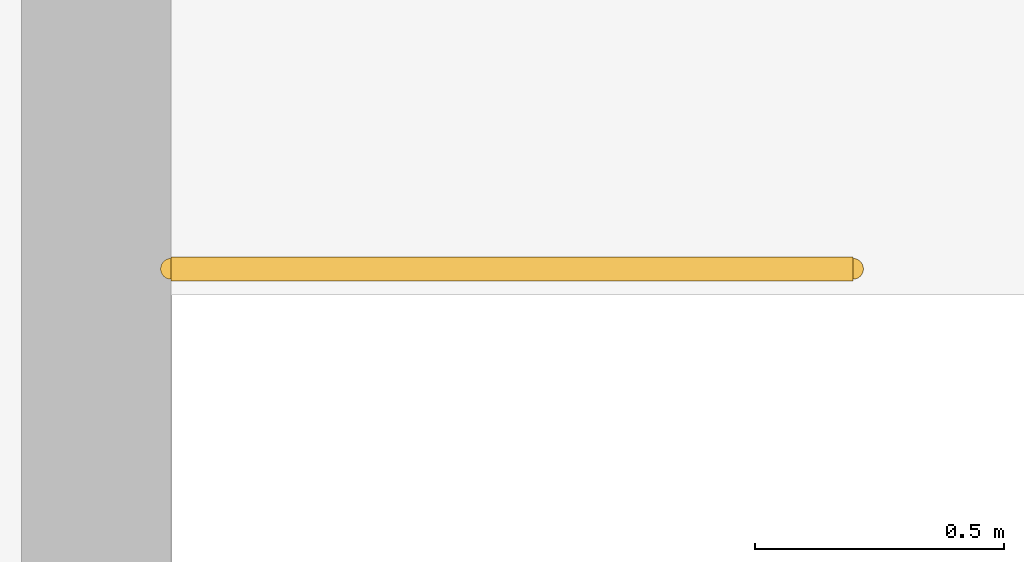
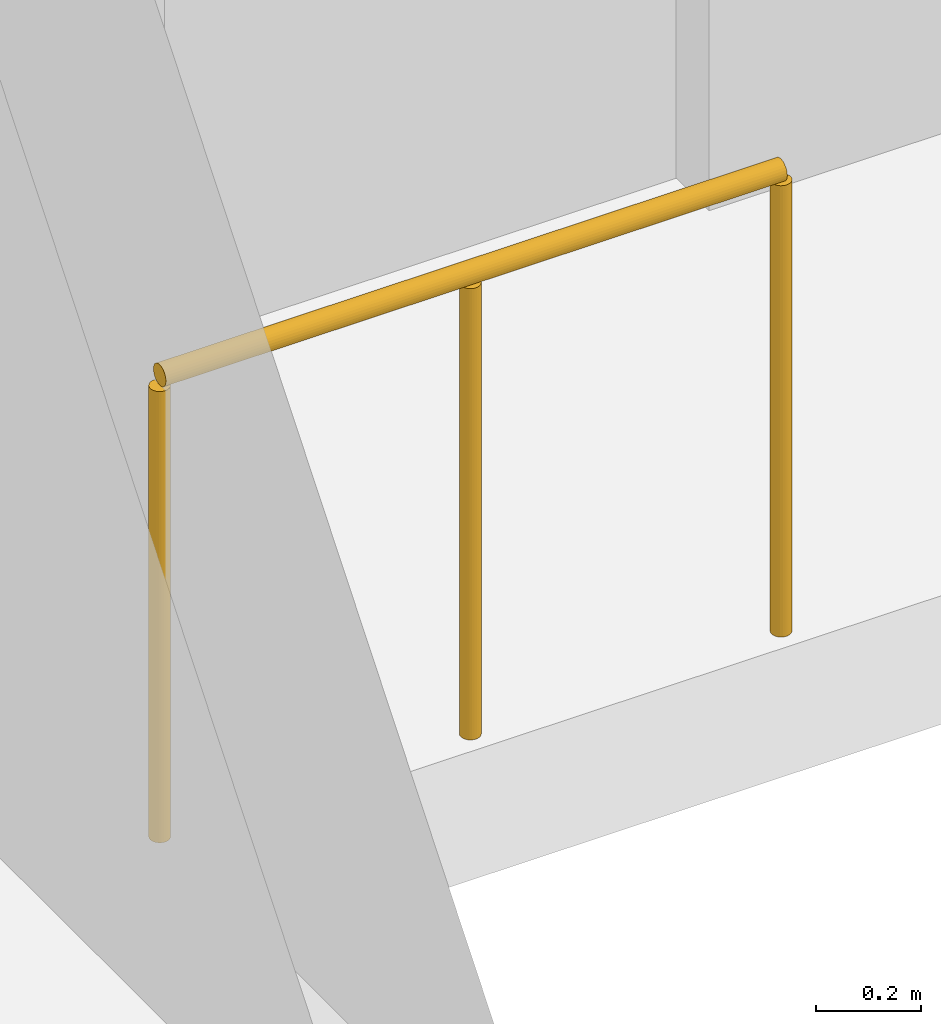
# One storey, part 21 of 21: 1 railing.
"""IFC4 building model written with IfcOpenShell, lengths in metres."""

import ifcopenshell
import ifcopenshell.guid

model = None  # the IFC model being written
_history = None  # IfcOwnerHistory: only IFC2X3 demands one
_inside = {}  # id of a spatial element -> (the spatial element, [elements in it])
_under = {}  # id of a project, library or spatial element -> (it, [spatial elements below it])
_declared = {}  # id of a project -> (the project, [libraries it declares])
_typed = {}  # id of a type object -> (the type object, [elements of that type])
_made_of = {}  # id of a material, layer set ... -> (it, [elements and type objects made of it])


def new_model(schema):
    """Start an empty IFC model of exactly this schema.

    Asked for "IFC4X3", IfcOpenShell would pick the latest addendum, in which some entities
    have other attributes; the version numbers below select the first issue.
    IFC2X3 requires an IfcOwnerHistory on every rooted entity: one is made here for all.
    """
    global model, _history
    if schema == "IFC4X3":
        model = ifcopenshell.file(schema_version=(4, 3, 0, 0))
    else:
        model = ifcopenshell.file(schema=schema)
    _inside.clear()
    _under.clear()
    _declared.clear()
    _typed.clear()
    _made_of.clear()
    _history = None
    if model.schema == "IFC2X3":
        org = make("IfcOrganization", Name="unknown")
        user = make(
            "IfcPersonAndOrganization",
            ThePerson=make("IfcPerson", FamilyName="unknown"),
            TheOrganization=org,
        )
        app = make(
            "IfcApplication",
            ApplicationDeveloper=org,
            Version="unknown",
            ApplicationFullName="unknown",
            ApplicationIdentifier="unknown",
        )
        _history = make(
            "IfcOwnerHistory",
            OwningUser=user,
            OwningApplication=app,
            ChangeAction="ADDED",
            CreationDate=0,
        )
    return model


def make(cls, **values):
    """One entity of the class cls with the attributes given. An attribute that is None is left unset."""
    return model.create_entity(
        cls, **{name: value for name, value in values.items() if value is not None}
    )


def rooted(cls, **values):
    """An entity with a GlobalId (a new one), such as an element, a storey or a relation."""
    return make(cls, GlobalId=ifcopenshell.guid.new(), OwnerHistory=_history, **values)


def si_unit(unit_type, name, prefix=None):
    """IfcSIUnit, for example si_unit("LENGTHUNIT", "METRE", prefix="MILLI")."""
    return make("IfcSIUnit", UnitType=unit_type, Prefix=prefix, Name=name)


def assignment(units):
    """IfcUnitAssignment: the units of a project."""
    return None if units is None else make("IfcUnitAssignment", Units=units)


def point(xyz):
    """IfcCartesianPoint."""
    return None if xyz is None else make("IfcCartesianPoint", Coordinates=xyz)


def direction(xyz):
    """IfcDirection."""
    return None if xyz is None else make("IfcDirection", DirectionRatios=xyz)


def frame(location, z_axis=None, x_axis=None):
    """IfcAxis2Placement3D, a coordinate frame: its origin and axes. An axis left out is left unset."""
    return make(
        "IfcAxis2Placement3D",
        Location=point(location),
        Axis=direction(z_axis),
        RefDirection=direction(x_axis),
    )


def frame_2d(location, x_axis=None):
    """IfcAxis2Placement2D, a coordinate frame in the plane: its origin and x axis."""
    return make(
        "IfcAxis2Placement2D", Location=point(location), RefDirection=direction(x_axis)
    )


def origin():
    """The frame at (0, 0, 0) with its axes left unset."""
    return frame((0.0, 0.0, 0.0))


def origin_2d():
    """The frame at (0, 0) in the plane with its x axis left unset."""
    return frame_2d((0.0, 0.0))


def place(relative_to, where):
    """IfcLocalPlacement: puts the frame where relative to a parent placement (None: the world)."""
    return make(
        "IfcLocalPlacement", PlacementRelTo=relative_to, RelativePlacement=where
    )


def context(
    kind, dimensions, precision=None, world=None, true_north=None, identifier=None
):
    """IfcGeometricRepresentationContext, for example the 3D "Model" context."""
    return make(
        "IfcGeometricRepresentationContext",
        ContextIdentifier=identifier,
        ContextType=kind,
        CoordinateSpaceDimension=dimensions,
        Precision=precision,
        WorldCoordinateSystem=world,
        TrueNorth=true_north,
    )


def subcontext(parent, identifier, kind, view, scale=None):
    """IfcGeometricRepresentationSubContext, for example "Body" below "Model"."""
    return make(
        "IfcGeometricRepresentationSubContext",
        ContextIdentifier=identifier,
        ContextType=kind,
        ParentContext=parent,
        TargetScale=scale,
        TargetView=view,
    )


def project(units=None, contexts=None):
    """IfcProject with its units and contexts."""
    return rooted(
        "IfcProject",
        Name="project",
        RepresentationContexts=contexts,
        UnitsInContext=assignment(units),
    )


def spatial(cls, under=None, at=None, **own):
    """A site, building, storey or space (cls), placed at a placement, below another one or the project."""
    s = rooted(cls, ObjectPlacement=at, **own)
    if under is not None:
        _under.setdefault(under.id(), (under, []))[1].append(s)
    return s


def profile(cls, at=None, kind="AREA", **sizes):
    """A parametric profile (cls). Its sizes go by their IFC names, for example OverallWidth=200.0."""
    return make(cls, ProfileType=kind, Position=at, **sizes)


def circle(**sizes):
    """IfcCircleProfileDef."""
    return profile("IfcCircleProfileDef", **sizes)


def extrude(swept, where, along, depth):
    """IfcExtrudedAreaSolid: the profile swept, set in the frame where, extruded along a direction by depth."""
    return make(
        "IfcExtrudedAreaSolid",
        SweptArea=swept,
        Position=where,
        ExtrudedDirection=direction(along),
        Depth=depth,
    )


def shape(context_of_items, identifier, shape_type, items):
    """IfcShapeRepresentation: the items that make up one representation, for example the "Body"."""
    return make(
        "IfcShapeRepresentation",
        ContextOfItems=context_of_items,
        RepresentationIdentifier=identifier,
        RepresentationType=shape_type,
        Items=items,
    )


def material(Name=None, Category=None):
    """IfcMaterial."""
    return make("IfcMaterial", Name=Name, Category=Category)


def made_of(thing, what):
    """Note that an element or type object is made of a material, layer set ...; save() writes the relation."""
    if what is not None:
        _made_of.setdefault(what.id(), (what, []))[1].append(thing)
    return thing


def type_object(cls, material=None, **own):
    """A type object (cls), such as IfcWallType, which elements share."""
    return made_of(rooted(cls, **own), material)


def element(
    cls,
    number,
    at=None,
    inside=None,
    cuts=None,
    type_object=None,
    material=None,
    context=None,
    identifier="Body",
    shape_type=None,
    held_by="IfcProductDefinitionShape",
    body=None,
    shapes=None,
    **own,
):
    """One element of the class cls, such as IfcWall. Its Tag is "e" and its number.

    at: its placement. inside: the storey or other place that contains it. cuts: it is an
    opening in that element (IfcRelVoidsElement). A single representation is given by context,
    identifier, shape_type and body (its items); several are given by shapes. held_by: the class
    of the entity that holds the representations. save() writes the other relations.
    """
    e = rooted(cls, Tag="e%d" % number, ObjectPlacement=at, **own)
    if body is not None:
        shapes = [shape(context, identifier, shape_type, body)]
    if shapes is not None:
        e.Representation = make(held_by, Representations=shapes)
    if inside is not None:
        _inside.setdefault(inside.id(), (inside, []))[1].append(e)
    if cuts is not None:
        rooted(
            "IfcRelVoidsElement", RelatingBuildingElement=cuts, RelatedOpeningElement=e
        )
    if type_object is not None:
        _typed.setdefault(type_object.id(), (type_object, []))[1].append(e)
    return made_of(e, material)


def aggregate(whole, parts):
    """IfcRelAggregates: a whole, such as a stair, and the parts it consists of."""
    return rooted("IfcRelAggregates", RelatingObject=whole, RelatedObjects=parts)


def save(model, path):
    """Write the relations noted so far, then the file.

    IfcRelAggregates (storeys below a building ...), IfcRelContainedInSpatialStructure (elements
    in a storey), IfcRelDefinesByType, IfcRelAssociatesMaterial and IfcRelDeclares: one each for
    every whole, place, type object, material and project.
    """
    for whole, parts in _under.values():
        aggregate(whole, parts)
    for where, things in _inside.values():
        rooted(
            "IfcRelContainedInSpatialStructure",
            RelatedElements=things,
            RelatingStructure=where,
        )
    for kind, things in _typed.values():
        rooted("IfcRelDefinesByType", RelatedObjects=things, RelatingType=kind)
    for what, things in _made_of.values():
        rooted("IfcRelAssociatesMaterial", RelatedObjects=things, RelatingMaterial=what)
    for by, libraries in _declared.values():
        rooted("IfcRelDeclares", RelatingContext=by, RelatedDefinitions=libraries)
    model.write(path)


model = new_model("IFC4")

# Units and contexts
model_context = context("Model", 3, precision=1e-05, world=origin(), true_north=direction((0.0, 1.0)))
body_context = subcontext(model_context, "Body", "Model", "MODEL_VIEW")
ifc_project = project(units=[si_unit("LENGTHUNIT", "METRE"), si_unit("AREAUNIT", "SQUARE_METRE"), si_unit("VOLUMEUNIT", "CUBIC_METRE"), si_unit("PLANEANGLEUNIT", "RADIAN"), si_unit("MASSUNIT", "GRAM", prefix="KILO")], contexts=[model_context])

# Site, building, storey
site_placement = place(None, origin())
site = spatial("IfcSite", under=ifc_project, at=site_placement, CompositionType="ELEMENT")
building_placement = place(site_placement, origin())
building = spatial("IfcBuilding", under=site, at=building_placement, Name="Ogive Portal Towers", CompositionType="ELEMENT")
storey_placement = place(building_placement, frame((0.0, 0.0, 266.89990234375)))
storey = spatial("IfcBuildingStorey", under=building, at=storey_placement, Name="L65", CompositionType="ELEMENT", Elevation=266.89990234375)

# Railing
ifc_material = material(Name="Stainless steel balustrade", Category="steel")
railing_type = type_object("IfcRailingType", Name="INT-GUARD", PredefinedType="GUARDRAIL", material=ifc_material)
railing_placement = place(storey_placement, frame((87.0, 29.219970703125, 0.0)))
element("IfcRailing", 1, at=railing_placement, inside=storey, type_object=railing_type, Name="L65 ST-A4 top well guard 1", PredefinedType="GUARDRAIL", context=body_context, shape_type="SweptSolid", body=[
    extrude(circle(Radius=0.02392578125, at=origin_2d()), frame((0.0, 0.0, 1.076171875), z_axis=(1.0, 0.0, 0.0), x_axis=(0.0, 1.0, 0.0)), (0.0, 0.0, 1.0), 1.3701171875),
    extrude(circle(Radius=0.02099609375, at=origin_2d()), origin(), (0.0, 0.0, 1.0), 1.052001953125),
    extrude(circle(Radius=0.02099609375, at=origin_2d()), frame((0.68505859375, 0.0, 0.0)), (0.0, 0.0, 1.0), 1.052001953125),
    extrude(circle(Radius=0.02099609375, at=origin_2d()), frame((1.3701171875, 0.0, 0.0)), (0.0, 0.0, 1.0), 1.052001953125),
])

save(model, "model.ifc")
